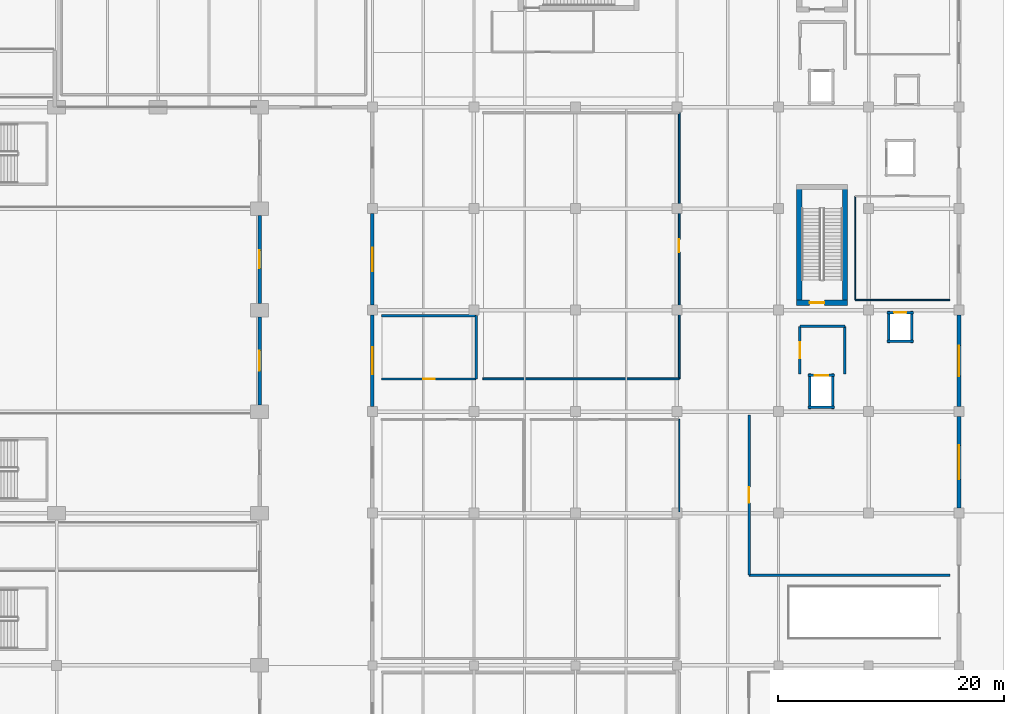
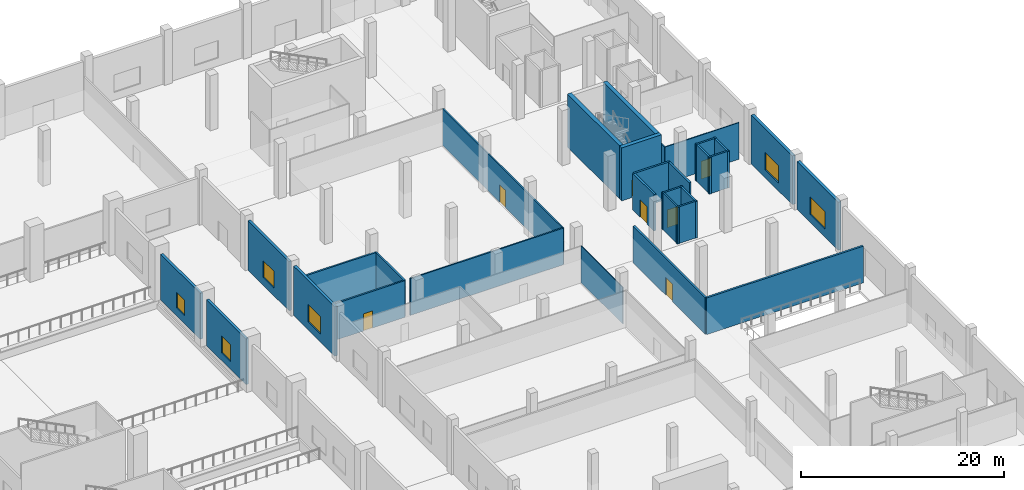
# One storey, part 25 of 65: 30 walls, 7 doors, 6 windows, 13 openings.
"""IFC4 building model written with IfcOpenShell, lengths in metres."""

from ifc_helpers import new_model, si_unit, direction, frame, frame_2d, origin, place, context, subcontext, project, spatial, rectangle, extrude, material, layer, layer_set, type_object, element, fill, save


model = new_model("IFC4")

# Units and contexts
model_context = context("Model", 3, precision=1e-05, world=origin(), true_north=direction((0.0, 1.0)))
body_context = subcontext(model_context, "Body", "Model", "MODEL_VIEW")
ifc_project = project(units=[si_unit("LENGTHUNIT", "METRE"), si_unit("AREAUNIT", "SQUARE_METRE"), si_unit("VOLUMEUNIT", "CUBIC_METRE"), si_unit("PLANEANGLEUNIT", "RADIAN"), si_unit("MASSUNIT", "GRAM", prefix="KILO")], contexts=[model_context])

# Site, building, storey
site_placement = place(None, origin())
site = spatial("IfcSite", under=ifc_project, at=site_placement, CompositionType="ELEMENT")
building_placement = place(site_placement, origin())
building = spatial("IfcBuilding", under=site, at=building_placement, Name="Chuanluo Vaults Station", CompositionType="ELEMENT")
storey_placement = place(building_placement, origin())
storey = spatial("IfcBuildingStorey", under=building, at=storey_placement, Name="L00", CompositionType="ELEMENT", Elevation=0.0)

# Walls
ifc_material_1 = material(Name="Concrete C50", Category="concrete")
ifc_layer_1 = layer(ifc_material_1, 0.449951171875)
ifc_layer_set_1 = layer_set([ifc_layer_1], Name="Concrete C50")
wall_type_1 = type_object("IfcWallType", Name="WL-COR-450", PredefinedType="SHEAR", material=ifc_layer_set_1)
for number, where, z_axis, x_axis, name in (
    (1, (177.91259765625, 85.925048828125, 0.0), (0.0, 0.0, 1.0), (0.0, 1.0, 0.0), "Core K1 left shear wall"),
    (2, (173.842529296875, 96.62255859375, 0.0), (0.0, 0.0, 1.0), (0.0, -1.0, 0.0), "Core K1 right shear wall"),
):
    element("IfcWall", number, at=place(storey_placement, frame(where, z_axis=z_axis, x_axis=x_axis)), inside=storey, type_object=wall_type_1, Name=name, PredefinedType="SHEAR", context=body_context, shape_type="SweptSolid", body=[
        extrude(rectangle(XDim=10.697509765625, YDim=0.449951171875, at=frame_2d((5.3486328125, 0.0))), origin(), (0.0, 0.0, 1.0), 6.360107421875),
    ])

# Wall, opening, door
wall_1_placement = place(storey_placement, frame((173.617431640625, 86.14990234375, 0.0), z_axis=(0.0, 0.0, 1.0), x_axis=(1.0, 0.0, 0.0)))
wall_1 = element("IfcWall", 3, at=wall_1_placement, inside=storey, type_object=wall_type_1, Name="Core K1 near shear wall", PredefinedType="SHEAR", context=body_context, shape_type="SweptSolid", body=[
    extrude(rectangle(XDim=4.52001953125, YDim=0.449951171875, at=frame_2d((2.260009765625, 0.0))), origin(), (0.0, 0.0, 1.0), 6.360107421875),
])
opening_1_placement = place(wall_1_placement, frame((1.14990234375, 0.0, 0.0)))
opening_1 = element("IfcOpeningElement", 4, at=opening_1_placement, cuts=wall_1, Name="Opening FD-05", PredefinedType="OPENING", context=body_context, shape_type="SweptSolid", body=[
    extrude(rectangle(XDim=1.300048828125, YDim=2.10009765625, at=frame_2d((0.64990234375, 1.050048828125))), frame((0.0, 0.2351, 0.0), z_axis=(0.0, -1.0, 0.0), x_axis=(1.0, 0.0, 0.0)), (0.0, 0.0, 1.0), 0.46995),
])
ifc_material_2 = material(Name="Fire-rated steel leaf", Category="steel")
door_type_1 = type_object("IfcDoorType", Name="DR-FIR-1300x2100", OperationType="NOTDEFINED", PredefinedType="DOOR", material=ifc_material_2)
door_1_placement = place(opening_1_placement, origin())
door_1 = element("IfcDoor", 5, at=door_1_placement, inside=storey, type_object=door_type_1, Name="D-059 Stair ST-01 fire door", OperationType="SINGLE_SWING_RIGHT", OverallHeight=2.10009765625, OverallWidth=1.300048828125, PredefinedType="DOOR", context=body_context, shape_type="SweptSolid", body=[
    extrude(rectangle(XDim=1.300048828125, YDim=2.10009765625, at=frame_2d((0.64990234375, 1.050048828125))), frame((0.0, 0.02490234375, 0.0), z_axis=(0.0, -1.0, 0.0), x_axis=(1.0, 0.0, 0.0)), (0.0, 0.0, 1.0), 0.050048828125),
])
fill(opening_1, door_1)

# Wall, opening, window
ifc_material_3 = material(Name="Concrete C40", Category="concrete")
ifc_layer_2 = layer(ifc_material_3, 0.300048828125)
ifc_layer_set_2 = layer_set([ifc_layer_2], Name="Concrete C40")
wall_type_2 = type_object("IfcWallType", Name="WL-EXT-300", PredefinedType="SOLIDWALL", material=ifc_layer_set_2)
wall_2_placement = place(storey_placement, frame((126.0, 84.89990234375, 0.0), z_axis=(0.0, 0.0, 1.0), x_axis=(0.0, -1.0, 0.0)))
wall_2 = element("IfcWall", 6, at=wall_2_placement, inside=storey, type_object=wall_type_2, Name="Passage train-shed wall 3", PredefinedType="SOLIDWALL", context=body_context, shape_type="SweptSolid", body=[
    extrude(rectangle(XDim=7.7998046875, YDim=0.300048828125, at=frame_2d((3.89990234375, 0.0))), origin(), (0.0, 0.0, 1.0), 5.4951171875),
])
opening_2_placement = place(wall_2_placement, frame((3.0, 0.0, 0.949951171875)))
opening_2 = element("IfcOpeningElement", 7, at=opening_2_placement, cuts=wall_2, Name="Opening W-20", PredefinedType="OPENING", context=body_context, shape_type="SweptSolid", body=[
    extrude(rectangle(XDim=1.800048828125, YDim=2.0, at=frame_2d((0.89990234375, 1.0))), frame((0.0, 0.1599, 0.0), z_axis=(0.0, -1.0, 0.0), x_axis=(1.0, 0.0, 0.0)), (0.0, 0.0, 1.0), 0.32005),
])
ifc_material_4 = material(Name="Double-silver Low-E laminated glass", Category="glass")
window_type_1 = type_object("IfcWindowType", Name="WN-RET-1800x2000", PartitioningType="SINGLE_PANEL", PredefinedType="WINDOW", material=ifc_material_4)
window_1_placement = place(opening_2_placement, origin())
window_1 = element("IfcWindow", 8, at=window_1_placement, inside=storey, type_object=window_type_1, Name="W-035 Ground streetwall window", OverallHeight=2.0, OverallWidth=1.800048828125, PartitioningType="SINGLE_PANEL", PredefinedType="WINDOW", context=body_context, shape_type="SweptSolid", body=[
    extrude(rectangle(XDim=1.800048828125, YDim=2.0, at=frame_2d((0.89990234375, 1.0))), frame((0.0, 0.030029296875, 0.0), z_axis=(0.0, -1.0, 0.0), x_axis=(1.0, 0.0, 0.0)), (0.0, 0.0, 1.0), 0.06005859375),
])
fill(opening_2, window_1)

wall_3_placement = place(storey_placement, frame((126.0, 93.89990234375, 0.0), z_axis=(0.0, 0.0, 1.0), x_axis=(0.0, -1.0, 0.0)))
wall_3 = element("IfcWall", 9, at=wall_3_placement, inside=storey, type_object=wall_type_2, Name="Passage train-shed wall 4", PredefinedType="SOLIDWALL", context=body_context, shape_type="SweptSolid", body=[
    extrude(rectangle(XDim=7.7998046875, YDim=0.300048828125, at=frame_2d((3.89990234375, 0.0))), origin(), (0.0, 0.0, 1.0), 5.4951171875),
])
opening_3_placement = place(wall_3_placement, frame((3.10009765625, 0.0, 0.949951171875)))
opening_3 = element("IfcOpeningElement", 10, at=opening_3_placement, cuts=wall_3, Name="Opening W-21", PredefinedType="OPENING", context=body_context, shape_type="SweptSolid", body=[
    extrude(rectangle(XDim=1.60009765625, YDim=1.89990234375, at=frame_2d((0.800048828125, 0.949951171875))), frame((0.0, 0.1599, 0.0), z_axis=(0.0, -1.0, 0.0), x_axis=(1.0, 0.0, 0.0)), (0.0, 0.0, 1.0), 0.32005),
])
ifc_material_5 = material(Name="Double-silver Low-E laminated glass", Category="glass")
window_type_2 = type_object("IfcWindowType", Name="WN-RET-1600x1900", PartitioningType="SINGLE_PANEL", PredefinedType="WINDOW", material=ifc_material_5)
window_2_placement = place(opening_3_placement, origin())
window_2 = element("IfcWindow", 11, at=window_2_placement, inside=storey, type_object=window_type_2, Name="W-036 Ground streetwall window", OverallHeight=1.89990234375, OverallWidth=1.60009765625, PartitioningType="SINGLE_PANEL", PredefinedType="WINDOW", context=body_context, shape_type="SweptSolid", body=[
    extrude(rectangle(XDim=1.60009765625, YDim=1.89990234375, at=frame_2d((0.800048828125, 0.949951171875))), frame((0.0, 0.030029296875, 0.0), z_axis=(0.0, -1.0, 0.0), x_axis=(1.0, 0.0, 0.0)), (0.0, 0.0, 1.0), 0.06005859375),
])
fill(opening_3, window_2)

wall_4_placement = place(storey_placement, frame((136.0, 76.949951171875, 0.0), z_axis=(0.0, 0.0, 1.0), x_axis=(0.0, 1.0, 0.0)))
wall_4 = element("IfcWall", 12, at=wall_4_placement, inside=storey, type_object=wall_type_2, Name="Operations west passage wall 3", PredefinedType="SOLIDWALL", context=body_context, shape_type="SweptSolid", body=[
    extrude(rectangle(XDim=8.10009765625, YDim=0.300048828125, at=frame_2d((4.050048828125, 0.0))), origin(), (0.0, 0.0, 1.0), 5.929931640625),
])
opening_4_placement = place(wall_4_placement, frame((2.85009765625, 0.0, 0.949951171875)))
opening_4 = element("IfcOpeningElement", 13, at=opening_4_placement, cuts=wall_4, Name="Opening W-18", PredefinedType="OPENING", context=body_context, shape_type="SweptSolid", body=[
    extrude(rectangle(XDim=2.39990234375, YDim=2.10009765625, at=frame_2d((1.199951171875, 1.050048828125))), frame((0.0, 0.1599, 0.0), z_axis=(0.0, -1.0, 0.0), x_axis=(1.0, 0.0, 0.0)), (0.0, 0.0, 1.0), 0.32005),
])
ifc_material_6 = material(Name="Double-silver Low-E laminated glass", Category="glass")
window_type_3 = type_object("IfcWindowType", Name="WN-RET-2400x2100", PartitioningType="SINGLE_PANEL", PredefinedType="WINDOW", material=ifc_material_6)
window_3_placement = place(opening_4_placement, origin())
window_3 = element("IfcWindow", 14, at=window_3_placement, inside=storey, type_object=window_type_3, Name="W-045 Ground streetwall window", OverallHeight=2.10009765625, OverallWidth=2.39990234375, PartitioningType="SINGLE_PANEL", PredefinedType="WINDOW", context=body_context, shape_type="SweptSolid", body=[
    extrude(rectangle(XDim=2.39990234375, YDim=2.10009765625, at=frame_2d((1.199951171875, 1.050048828125))), frame((0.0, 0.030029296875, 0.0), z_axis=(0.0, -1.0, 0.0), x_axis=(1.0, 0.0, 0.0)), (0.0, 0.0, 1.0), 0.06005859375),
])
fill(opening_4, window_3)

wall_5_placement = place(storey_placement, frame((136.0, 85.949951171875, 0.0), z_axis=(0.0, 0.0, 1.0), x_axis=(0.0, 1.0, 0.0)))
wall_5 = element("IfcWall", 15, at=wall_5_placement, inside=storey, type_object=wall_type_2, Name="Operations west passage wall 4", PredefinedType="SOLIDWALL", context=body_context, shape_type="SweptSolid", body=[
    extrude(rectangle(XDim=8.10009765625, YDim=0.300048828125, at=frame_2d((4.050048828125, 0.0))), origin(), (0.0, 0.0, 1.0), 5.929931640625),
])
opening_5_placement = place(wall_5_placement, frame((3.0, 0.0, 0.949951171875)))
opening_5 = element("IfcOpeningElement", 16, at=opening_5_placement, cuts=wall_5, Name="Opening W-19", PredefinedType="OPENING", context=body_context, shape_type="SweptSolid", body=[
    extrude(rectangle(XDim=2.10009765625, YDim=2.0, at=frame_2d((1.050048828125, 1.0))), frame((0.0, 0.1599, 0.0), z_axis=(0.0, -1.0, 0.0), x_axis=(1.0, 0.0, 0.0)), (0.0, 0.0, 1.0), 0.32005),
])
ifc_material_7 = material(Name="Double-silver Low-E laminated glass", Category="glass")
window_type_4 = type_object("IfcWindowType", Name="WN-RET-2100x2000", PartitioningType="SINGLE_PANEL", PredefinedType="WINDOW", material=ifc_material_7)
window_4_placement = place(opening_5_placement, origin())
window_4 = element("IfcWindow", 17, at=window_4_placement, inside=storey, type_object=window_type_4, Name="W-046 Ground streetwall window", OverallHeight=2.0, OverallWidth=2.10009765625, PartitioningType="SINGLE_PANEL", PredefinedType="WINDOW", context=body_context, shape_type="SweptSolid", body=[
    extrude(rectangle(XDim=2.10009765625, YDim=2.0, at=frame_2d((1.050048828125, 1.0))), frame((0.0, 0.030029296875, 0.0), z_axis=(0.0, -1.0, 0.0), x_axis=(1.0, 0.0, 0.0)), (0.0, 0.0, 1.0), 0.06005859375),
])
fill(opening_5, window_4)

ifc_material_8 = material(Name="Concrete C50", Category="concrete")
ifc_layer_3 = layer(ifc_material_8, 0.340087890625)
ifc_layer_set_3 = layer_set([ifc_layer_3], Name="Concrete C50")
wall_type_3 = type_object("IfcWallType", Name="WL-EXT-340", PredefinedType="SOLIDWALL", material=ifc_layer_set_3)
wall_6_placement = place(storey_placement, frame((188.0, 76.050048828125, 0.0), z_axis=(0.0, 0.0, 1.0), x_axis=(0.0, -1.0, 0.0)))
wall_6 = element("IfcWall", 18, at=wall_6_placement, inside=storey, type_object=wall_type_3, Name="East streetwall 6", PredefinedType="SOLIDWALL", context=body_context, shape_type="SweptSolid", body=[
    extrude(rectangle(XDim=8.10009765625, YDim=0.340087890625, at=frame_2d((4.050048828125, 0.0))), origin(), (0.0, 0.0, 1.0), 5.7548828125),
])
opening_6_placement = place(wall_6_placement, frame((2.550048828125, 0.0, 0.949951171875)))
opening_6 = element("IfcOpeningElement", 19, at=opening_6_placement, cuts=wall_6, Name="Opening W-16", PredefinedType="OPENING", context=body_context, shape_type="SweptSolid", body=[
    extrude(rectangle(XDim=3.0, YDim=2.10009765625, at=frame_2d((1.5, 1.050048828125))), frame((0.0, 0.17992, 0.0), z_axis=(0.0, -1.0, 0.0), x_axis=(1.0, 0.0, 0.0)), (0.0, 0.0, 1.0), 0.36009),
])
ifc_material_9 = material(Name="Double-silver Low-E laminated glass", Category="glass")
window_type_5 = type_object("IfcWindowType", Name="WN-RET-3000x2100", PartitioningType="SINGLE_PANEL", PredefinedType="WINDOW", material=ifc_material_9)
window_5_placement = place(opening_6_placement, origin())
window_5 = element("IfcWindow", 20, at=window_5_placement, inside=storey, type_object=window_type_5, Name="W-055 Ground streetwall window", OverallHeight=2.10009765625, OverallWidth=3.0, PartitioningType="SINGLE_PANEL", PredefinedType="WINDOW", context=body_context, shape_type="SweptSolid", body=[
    extrude(rectangle(XDim=3.0, YDim=2.10009765625, at=frame_2d((1.5, 1.050048828125))), frame((0.0, 0.030029296875, 0.0), z_axis=(0.0, -1.0, 0.0), x_axis=(1.0, 0.0, 0.0)), (0.0, 0.0, 1.0), 0.06005859375),
])
fill(opening_6, window_5)

wall_7_placement = place(storey_placement, frame((188.0, 85.050048828125, 0.0), z_axis=(0.0, 0.0, 1.0), x_axis=(0.0, -1.0, 0.0)))
wall_7 = element("IfcWall", 21, at=wall_7_placement, inside=storey, type_object=wall_type_3, Name="East streetwall 7", PredefinedType="SOLIDWALL", context=body_context, shape_type="SweptSolid", body=[
    extrude(rectangle(XDim=8.10009765625, YDim=0.340087890625, at=frame_2d((4.050048828125, 0.0))), origin(), (0.0, 0.0, 1.0), 5.875),
])
opening_7_placement = place(wall_7_placement, frame((2.699951171875, 0.0, 0.949951171875)))
opening_7 = element("IfcOpeningElement", 22, at=opening_7_placement, cuts=wall_7, Name="Opening W-17", PredefinedType="OPENING", context=body_context, shape_type="SweptSolid", body=[
    extrude(rectangle(XDim=2.699951171875, YDim=2.10009765625, at=frame_2d((1.35009765625, 1.050048828125))), frame((0.0, 0.17992, 0.0), z_axis=(0.0, -1.0, 0.0), x_axis=(1.0, 0.0, 0.0)), (0.0, 0.0, 1.0), 0.36009),
])
ifc_material_10 = material(Name="Double-silver Low-E laminated glass", Category="glass")
window_type_6 = type_object("IfcWindowType", Name="WN-RET-2700x2100", PartitioningType="SINGLE_PANEL", PredefinedType="WINDOW", material=ifc_material_10)
window_6_placement = place(opening_7_placement, origin())
window_6 = element("IfcWindow", 23, at=window_6_placement, inside=storey, type_object=window_type_6, Name="W-056 Ground streetwall window", OverallHeight=2.10009765625, OverallWidth=2.699951171875, PartitioningType="SINGLE_PANEL", PredefinedType="WINDOW", context=body_context, shape_type="SweptSolid", body=[
    extrude(rectangle(XDim=2.699951171875, YDim=2.10009765625, at=frame_2d((1.35009765625, 1.050048828125))), frame((0.0, 0.030029296875, 0.0), z_axis=(0.0, -1.0, 0.0), x_axis=(1.0, 0.0, 0.0)), (0.0, 0.0, 1.0), 0.06005859375),
])
fill(opening_7, window_6)

# Wall
ifc_material_11 = material(Name="Concrete C40", Category="concrete")
ifc_layer_4 = layer(ifc_material_11, 0.219970703125)
ifc_layer_set_4 = layer_set([ifc_layer_4], Name="Concrete C40")
wall_type_4 = type_object("IfcWallType", Name="WL-FIR-220", PredefinedType="SOLIDWALL", material=ifc_layer_set_4)
wall_8_placement = place(storey_placement, frame((187.199951171875, 62.0, 0.0), z_axis=(0.0, 0.0, 1.0), x_axis=(-1.0, 0.0, 0.0)))
element("IfcWall", 24, at=wall_8_placement, inside=storey, type_object=wall_type_4, Name="L00-28 Trackside Maintenance Workshop S partition", PredefinedType="SOLIDWALL", context=body_context, shape_type="SweptSolid", body=[
    extrude(rectangle(XDim=17.800048828125, YDim=0.219970703125, at=frame_2d((8.89990234375, 0.0))), origin(), (0.0, 0.0, 1.0), 4.39990234375),
])

# Wall, opening, door
wall_9_placement = place(storey_placement, frame((169.39990234375, 62.0, 0.0), z_axis=(0.0, 0.0, 1.0), x_axis=(0.0, 1.0, 0.0)))
wall_9 = element("IfcWall", 25, at=wall_9_placement, inside=storey, type_object=wall_type_4, Name="L00-28 Trackside Maintenance Workshop W partition", PredefinedType="SOLIDWALL", context=body_context, shape_type="SweptSolid", body=[
    extrude(rectangle(XDim=14.199951171875, YDim=0.219970703125, at=frame_2d((7.10009765625, 0.0))), origin(), (0.0, 0.0, 1.0), 4.39990234375),
])
opening_8_placement = place(wall_9_placement, frame((6.39990234375, 0.0, 0.0)))
opening_8 = element("IfcOpeningElement", 26, at=opening_8_placement, cuts=wall_9, Name="Opening FD-04", PredefinedType="OPENING", context=body_context, shape_type="SweptSolid", body=[
    extrude(rectangle(XDim=1.39990234375, YDim=2.10009765625, at=frame_2d((0.699951171875, 1.050048828125))), frame((0.0, 0.11986, 0.0), z_axis=(0.0, -1.0, 0.0), x_axis=(1.0, 0.0, 0.0)), (0.0, 0.0, 1.0), 0.23997),
])
ifc_material_12 = material(Name="Fire-rated steel leaf", Category="steel")
door_type_2 = type_object("IfcDoorType", Name="DR-FIR-1400x2100", OperationType="NOTDEFINED", PredefinedType="DOOR", material=ifc_material_12)
door_2_placement = place(opening_8_placement, origin())
door_2 = element("IfcDoor", 27, at=door_2_placement, inside=storey, type_object=door_type_2, Name="D-174 Trackside Maintenance Workshop door", OperationType="SINGLE_SWING_LEFT", OverallHeight=2.10009765625, OverallWidth=1.39990234375, PredefinedType="DOOR", context=body_context, shape_type="SweptSolid", body=[
    extrude(rectangle(XDim=1.39990234375, YDim=2.10009765625, at=frame_2d((0.699951171875, 1.050048828125))), frame((0.0, 0.02490234375, 0.0), z_axis=(0.0, -1.0, 0.0), x_axis=(1.0, 0.0, 0.0)), (0.0, 0.0, 1.0), 0.050048828125),
])
fill(opening_8, door_2)

# Wall
wall_10_placement = place(storey_placement, frame((173.89990234375, 84.050048828125, 0.0), z_axis=(0.0, 0.0, 1.0), x_axis=(1.0, 0.0, 0.0)))
element("IfcWall", 28, at=wall_10_placement, inside=storey, type_object=wall_type_4, Name="L00-FFL-K1 Firefighting Lift Lobby FFL-01 L00 N partition", PredefinedType="SOLIDWALL", context=body_context, shape_type="SweptSolid", body=[
    extrude(rectangle(XDim=4.0, YDim=0.219970703125, at=frame_2d((2.0, 0.0))), origin(), (0.0, 0.0, 1.0), 4.39990234375),
])

# Wall, opening, door
wall_11_placement = place(storey_placement, frame((173.89990234375, 79.85009765625, 0.0), z_axis=(0.0, 0.0, 1.0), x_axis=(0.0, 1.0, 0.0)))
wall_11 = element("IfcWall", 29, at=wall_11_placement, inside=storey, type_object=wall_type_4, Name="L00-FFL-K1 Firefighting Lift Lobby FFL-01 L00 W partition", PredefinedType="SOLIDWALL", context=body_context, shape_type="SweptSolid", body=[
    extrude(rectangle(XDim=4.199951171875, YDim=0.219970703125, at=frame_2d((2.10009765625, 0.0))), origin(), (0.0, 0.0, 1.0), 4.39990234375),
])
opening_9_placement = place(wall_11_placement, frame((1.39990234375, 0.0, 0.0)))
opening_9 = element("IfcOpeningElement", 30, at=opening_9_placement, cuts=wall_11, Name="Opening FD-04", PredefinedType="OPENING", context=body_context, shape_type="SweptSolid", body=[
    extrude(rectangle(XDim=1.39990234375, YDim=2.10009765625, at=frame_2d((0.699951171875, 1.050048828125))), frame((0.0, 0.11986, 0.0), z_axis=(0.0, -1.0, 0.0), x_axis=(1.0, 0.0, 0.0)), (0.0, 0.0, 1.0), 0.23997),
])
door_3_placement = place(opening_9_placement, origin())
door_3 = element("IfcDoor", 31, at=door_3_placement, inside=storey, type_object=door_type_2, Name="D-268 Firefighting Lift Lobby FFL-01 L00 door", OperationType="SINGLE_SWING_LEFT", OverallHeight=2.10009765625, OverallWidth=1.39990234375, PredefinedType="DOOR", context=body_context, shape_type="SweptSolid", body=[
    extrude(rectangle(XDim=1.39990234375, YDim=2.10009765625, at=frame_2d((0.699951171875, 1.050048828125))), frame((0.0, 0.02490234375, 0.0), z_axis=(0.0, -1.0, 0.0), x_axis=(1.0, 0.0, 0.0)), (0.0, 0.0, 1.0), 0.050048828125),
])
fill(opening_9, door_3)

# Walls
wall_12_placement = place(storey_placement, frame((177.89990234375, 84.050048828125, 0.0), z_axis=(0.0, 0.0, 1.0), x_axis=(0.0, -1.0, 0.0)))
element("IfcWall", 32, at=wall_12_placement, inside=storey, type_object=wall_type_4, Name="L00-FFL-K1 Firefighting Lift Lobby FFL-01 L00 E partition", PredefinedType="SOLIDWALL", context=body_context, shape_type="SweptSolid", body=[
    extrude(rectangle(XDim=4.199951171875, YDim=0.219970703125, at=frame_2d((2.10009765625, 0.0))), origin(), (0.0, 0.0, 1.0), 4.39990234375),
])
ifc_material_13 = material(Name="Masonry blockwork M10", Category="masonry")
ifc_layer_5 = layer(ifc_material_13, 0.10009765625)
ifc_layer_set_5 = layer_set([ifc_layer_5], Name="Masonry blockwork M10")
wall_type_5 = type_object("IfcWallType", Name="WL-PRT-100", PredefinedType="PARTITIONING", material=ifc_layer_set_5)
wall_13_placement = place(storey_placement, frame((163.199951171875, 75.800048828125, 0.0), z_axis=(0.0, 0.0, 1.0), x_axis=(0.0, -1.0, 0.0)))
element("IfcWall", 33, at=wall_13_placement, inside=storey, type_object=wall_type_5, Name="L00-23 Concourse Public Female Toilet E partition", PredefinedType="PARTITIONING", context=body_context, shape_type="SweptSolid", body=[
    extrude(rectangle(XDim=8.199951171875, YDim=0.10009765625, at=frame_2d((4.10009765625, 0.0))), origin(), (0.0, 0.0, 1.0), 4.39990234375),
])
ifc_material_14 = material(Name="Masonry blockwork M10", Category="masonry")
ifc_layer_6 = layer(ifc_material_14, 0.110107421875)
ifc_layer_set_6 = layer_set([ifc_layer_6], Name="Masonry blockwork M10")
wall_type_6 = type_object("IfcWallType", Name="WL-PRT-110", PredefinedType="PARTITIONING", material=ifc_layer_set_6)
wall_14_placement = place(storey_placement, frame((187.199951171875, 86.39990234375, 0.0), z_axis=(0.0, 0.0, 1.0), x_axis=(-1.0, 0.0, 0.0)))
element("IfcWall", 34, at=wall_14_placement, inside=storey, type_object=wall_type_6, Name="L00-31 East Operations Crew Room S partition", PredefinedType="PARTITIONING", context=body_context, shape_type="SweptSolid", body=[
    extrude(rectangle(XDim=8.39990234375, YDim=0.110107421875, at=frame_2d((4.199951171875, 0.0))), origin(), (0.0, 0.0, 1.0), 4.39990234375),
])
wall_15_placement = place(storey_placement, frame((178.800048828125, 86.39990234375, 0.0), z_axis=(0.0, 0.0, 1.0), x_axis=(0.0, 1.0, 0.0)))
element("IfcWall", 35, at=wall_15_placement, inside=storey, type_object=wall_type_6, Name="L00-31 East Operations Crew Room W partition", PredefinedType="PARTITIONING", context=body_context, shape_type="SweptSolid", body=[
    extrude(rectangle(XDim=9.2001953125, YDim=0.110107421875, at=frame_2d((4.60009765625, 0.0))), origin(), (0.0, 0.0, 1.0), 4.39990234375),
])
ifc_material_15 = material(Name="Autoclaved aerated concrete blockwork MU10", Category="masonry")
ifc_layer_7 = layer(ifc_material_15, 0.159912109375)
ifc_layer_set_7 = layer_set([ifc_layer_7], Name="Autoclaved aerated concrete blockwork MU10")
wall_type_7 = type_object("IfcWallType", Name="WL-PRT-160", PredefinedType="PARTITIONING", material=ifc_layer_set_7)
wall_16_placement = place(storey_placement, frame((163.199951171875, 79.39990234375, 0.0), z_axis=(0.0, 0.0, 1.0), x_axis=(-1.0, 0.0, 0.0)))
element("IfcWall", 36, at=wall_16_placement, inside=storey, type_object=wall_type_7, Name="L00-26 Station Duty Manager Suite S partition", PredefinedType="PARTITIONING", context=body_context, shape_type="SweptSolid", body=[
    extrude(rectangle(XDim=17.39990234375, YDim=0.159912109375, at=frame_2d((8.699951171875, 0.0))), origin(), (0.0, 0.0, 1.0), 4.39990234375),
])

# Wall, opening, door
wall_17_placement = place(storey_placement, frame((163.199951171875, 103.0, 0.0), z_axis=(0.0, 0.0, 1.0), x_axis=(0.0, -1.0, 0.0)))
wall_17 = element("IfcWall", 37, at=wall_17_placement, inside=storey, type_object=wall_type_7, Name="L00-26 Station Duty Manager Suite E partition", PredefinedType="PARTITIONING", context=body_context, shape_type="SweptSolid", body=[
    extrude(rectangle(XDim=23.60009765625, YDim=0.159912109375, at=frame_2d((11.800048828125, 0.0))), origin(), (0.0, 0.0, 1.0), 4.39990234375),
])
opening_10_placement = place(wall_17_placement, frame((11.22509765625, 0.0, 0.0)))
opening_10 = element("IfcOpeningElement", 38, at=opening_10_placement, cuts=wall_17, Name="Opening D-I06", PredefinedType="OPENING", context=body_context, shape_type="SweptSolid", body=[
    extrude(rectangle(XDim=1.14990234375, YDim=2.10009765625, at=frame_2d((0.574951171875, 1.050048828125))), frame((0.0, 0.09008, 0.0), z_axis=(0.0, -1.0, 0.0), x_axis=(1.0, 0.0, 0.0)), (0.0, 0.0, 1.0), 0.17991),
])
ifc_material_16 = material(Name="Anodised aluminium 6063-T6", Category="aluminium")
door_type_3 = type_object("IfcDoorType", Name="DR-INT-1150x2100", OperationType="NOTDEFINED", PredefinedType="DOOR", material=ifc_material_16)
door_4_placement = place(opening_10_placement, origin())
door_4 = element("IfcDoor", 39, at=door_4_placement, inside=storey, type_object=door_type_3, Name="D-173 Station Duty Manager Suite door", OperationType="SINGLE_SWING_RIGHT", OverallHeight=2.10009765625, OverallWidth=1.14990234375, PredefinedType="DOOR", context=body_context, shape_type="SweptSolid", body=[
    extrude(rectangle(XDim=1.14990234375, YDim=2.10009765625, at=frame_2d((0.574951171875, 1.050048828125))), frame((0.0, 0.02490234375, 0.0), z_axis=(0.0, -1.0, 0.0), x_axis=(1.0, 0.0, 0.0)), (0.0, 0.0, 1.0), 0.050048828125),
])
fill(opening_10, door_4)

ifc_material_17 = material(Name="Autoclaved aerated concrete blockwork MU10", Category="masonry")
ifc_layer_8 = layer(ifc_material_17, 0.18994140625)
ifc_layer_set_8 = layer_set([ifc_layer_8], Name="Autoclaved aerated concrete blockwork MU10")
wall_type_8 = type_object("IfcWallType", Name="WL-PRT-190", PredefinedType="PARTITIONING", material=ifc_layer_set_8)
wall_18_placement = place(storey_placement, frame((145.199951171875, 79.39990234375, 0.0), z_axis=(0.0, 0.0, 1.0), x_axis=(-1.0, 0.0, 0.0)))
wall_18 = element("IfcWall", 40, at=wall_18_placement, inside=storey, type_object=wall_type_8, Name="L00-24 Concourse Accessible and Family WC S partition", PredefinedType="PARTITIONING", context=body_context, shape_type="SweptSolid", body=[
    extrude(rectangle(XDim=8.39990234375, YDim=0.18994140625, at=frame_2d((4.199951171875, 0.0))), origin(), (0.0, 0.0, 1.0), 4.39990234375),
])
opening_11_placement = place(wall_18_placement, frame((3.68994140625, 0.0, 0.0)))
opening_11 = element("IfcOpeningElement", 41, at=opening_11_placement, cuts=wall_18, Name="Opening D-WC2", PredefinedType="OPENING", context=body_context, shape_type="SweptSolid", body=[
    extrude(rectangle(XDim=1.02001953125, YDim=2.050048828125, at=frame_2d((0.510009765625, 1.02490234375))), frame((0.0, 0.10497, 0.0), z_axis=(0.0, -1.0, 0.0), x_axis=(1.0, 0.0, 0.0)), (0.0, 0.0, 1.0), 0.20994),
])
ifc_material_18 = material(Name="Anodised aluminium 6063-T6", Category="aluminium")
door_type_4 = type_object("IfcDoorType", Name="DR-AWC-1020x2050", OperationType="NOTDEFINED", PredefinedType="DOOR", material=ifc_material_18)
door_5_placement = place(opening_11_placement, origin())
door_5 = element("IfcDoor", 42, at=door_5_placement, inside=storey, type_object=door_type_4, Name="D-172 Concourse Accessible and Family WC door", OperationType="SINGLE_SWING_LEFT", OverallHeight=2.050048828125, OverallWidth=1.02001953125, PredefinedType="DOOR", context=body_context, shape_type="SweptSolid", body=[
    extrude(rectangle(XDim=1.02001953125, YDim=2.050048828125, at=frame_2d((0.510009765625, 1.02490234375))), frame((0.0, 0.02490234375, 0.0), z_axis=(0.0, -1.0, 0.0), x_axis=(1.0, 0.0, 0.0)), (0.0, 0.0, 1.0), 0.050048828125),
])
fill(opening_11, door_5)

# Walls
wall_19_placement = place(storey_placement, frame((136.800048828125, 85.0, 0.0), z_axis=(0.0, 0.0, 1.0), x_axis=(1.0, 0.0, 0.0)))
element("IfcWall", 43, at=wall_19_placement, inside=storey, type_object=wall_type_8, Name="L00-24 Concourse Accessible and Family WC N partition", PredefinedType="PARTITIONING", context=body_context, shape_type="SweptSolid", body=[
    extrude(rectangle(XDim=8.39990234375, YDim=0.18994140625, at=frame_2d((4.199951171875, 0.0))), origin(), (0.0, 0.0, 1.0), 4.39990234375),
])
wall_20_placement = place(storey_placement, frame((145.199951171875, 85.0, 0.0), z_axis=(0.0, 0.0, 1.0), x_axis=(0.0, -1.0, 0.0)))
element("IfcWall", 44, at=wall_20_placement, inside=storey, type_object=wall_type_8, Name="L00-24 Concourse Accessible and Family WC E partition", PredefinedType="PARTITIONING", context=body_context, shape_type="SweptSolid", body=[
    extrude(rectangle(XDim=5.60009765625, YDim=0.18994140625, at=frame_2d((2.800048828125, 0.0))), origin(), (0.0, 0.0, 1.0), 4.39990234375),
])
ifc_material_19 = material(Name="Concrete C40", Category="concrete")
ifc_layer_9 = layer(ifc_material_19, 0.199951171875)
ifc_layer_set_9 = layer_set([ifc_layer_9], Name="Concrete C40")
wall_type_9 = type_object("IfcWallType", Name="WL-SHF-200", PredefinedType="SOLIDWALL", material=ifc_layer_set_9)
wall_21_placement = place(storey_placement, frame((174.6298828125, 76.8798828125, 0.0), z_axis=(0.0, 0.0, 1.0), x_axis=(1.0, 0.0, 0.0)))
element("IfcWall", 45, at=wall_21_placement, inside=storey, type_object=wall_type_9, Name="Lift FFL-01 shaft wall L00 -Y", PredefinedType="SOLIDWALL", context=body_context, shape_type="SweptSolid", body=[
    extrude(rectangle(XDim=2.340087890625, YDim=0.199951171875, at=frame_2d((1.169921875, 0.0))), origin(), (0.0, 0.0, 1.0), 4.39990234375),
])

# Wall, opening, door
wall_22_placement = place(storey_placement, frame((176.969970703125, 79.719970703125, 0.0), z_axis=(0.0, 0.0, 1.0), x_axis=(-1.0, 0.0, 0.0)))
wall_22 = element("IfcWall", 46, at=wall_22_placement, inside=storey, type_object=wall_type_9, Name="Lift FFL-01 shaft wall L00 +Y", PredefinedType="SOLIDWALL", context=body_context, shape_type="SweptSolid", body=[
    extrude(rectangle(XDim=2.340087890625, YDim=0.199951171875, at=frame_2d((1.169921875, 0.0))), origin(), (0.0, 0.0, 1.0), 4.39990234375),
])
opening_12_placement = place(wall_22_placement, frame((0.570068359375, 0.0, 0.0)))
opening_12 = element("IfcOpeningElement", 47, at=opening_12_placement, cuts=wall_22, Name="Opening LD-02", PredefinedType="OPENING", context=body_context, shape_type="SweptSolid", body=[
    extrude(rectangle(XDim=1.199951171875, YDim=2.14990234375, at=frame_2d((0.60009765625, 1.074951171875))), frame((0.0, 0.1101, 0.0), z_axis=(0.0, -1.0, 0.0), x_axis=(1.0, 0.0, 0.0)), (0.0, 0.0, 1.0), 0.21995),
])
ifc_material_20 = material(Name="Brushed stainless steel 304", Category="steel")
door_type_5 = type_object("IfcDoorType", Name="DR-LFT-1200x2150", OperationType="SLIDING_TO_LEFT", PredefinedType="DOOR", material=ifc_material_20)
door_6_placement = place(opening_12_placement, origin())
door_6 = element("IfcDoor", 48, at=door_6_placement, inside=storey, type_object=door_type_5, Name="LD-FFL-01-02 Lift FFL-01 sliding landing door L00", OperationType="SLIDING_TO_LEFT", OverallHeight=2.14990234375, OverallWidth=1.199951171875, PredefinedType="DOOR", context=body_context, shape_type="SweptSolid", body=[
    extrude(rectangle(XDim=1.199951171875, YDim=2.14990234375, at=frame_2d((0.60009765625, 1.074951171875))), frame((0.0, 0.02490234375, 0.0), z_axis=(0.0, -1.0, 0.0), x_axis=(1.0, 0.0, 0.0)), (0.0, 0.0, 1.0), 0.050048828125),
])
fill(opening_12, door_6)

# Walls
for number, where, z_axis, x_axis, name in (
    (49, (174.780029296875, 79.8701171875, 0.0), (0.0, 0.0, 1.0), (0.0, -1.0, 0.0), "Lift FFL-01 shaft wall L00 -X"),
    (50, (176.820068359375, 76.72998046875, 0.0), (0.0, 0.0, 1.0), (0.0, 1.0, 0.0), "Lift FFL-01 shaft wall L00 +X"),
):
    element("IfcWall", number, at=place(storey_placement, frame(where, z_axis=z_axis, x_axis=x_axis)), inside=storey, type_object=wall_type_9, Name=name, PredefinedType="SOLIDWALL", context=body_context, shape_type="SweptSolid", body=[
        extrude(rectangle(XDim=3.14013671875, YDim=0.199951171875, at=frame_2d((1.570068359375, 0.0))), origin(), (0.0, 0.0, 1.0), 4.39990234375),
    ])
wall_23_placement = place(storey_placement, frame((181.6298828125, 82.72998046875, 0.0), z_axis=(0.0, 0.0, 1.0), x_axis=(1.0, 0.0, 0.0)))
element("IfcWall", 51, at=wall_23_placement, inside=storey, type_object=wall_type_9, Name="Lift EL-03 shaft wall L00 -Y", PredefinedType="SOLIDWALL", context=body_context, shape_type="SweptSolid", body=[
    extrude(rectangle(XDim=2.340087890625, YDim=0.199951171875, at=frame_2d((1.169921875, 0.0))), origin(), (0.0, 0.0, 1.0), 4.39990234375),
])

# Wall, opening, door
wall_24_placement = place(storey_placement, frame((183.969970703125, 85.27001953125, 0.0), z_axis=(0.0, 0.0, 1.0), x_axis=(-1.0, 0.0, 0.0)))
wall_24 = element("IfcWall", 52, at=wall_24_placement, inside=storey, type_object=wall_type_9, Name="Lift EL-03 shaft wall L00 +Y", PredefinedType="SOLIDWALL", context=body_context, shape_type="SweptSolid", body=[
    extrude(rectangle(XDim=2.340087890625, YDim=0.199951171875, at=frame_2d((1.169921875, 0.0))), origin(), (0.0, 0.0, 1.0), 4.39990234375),
])
opening_13_placement = place(wall_24_placement, frame((0.6201171875, 0.0, 0.0)))
opening_13 = element("IfcOpeningElement", 53, at=opening_13_placement, cuts=wall_24, Name="Opening LD-01", PredefinedType="OPENING", context=body_context, shape_type="SweptSolid", body=[
    extrude(rectangle(XDim=1.10009765625, YDim=2.14990234375, at=frame_2d((0.550048828125, 1.074951171875))), frame((0.0, 0.1101, 0.0), z_axis=(0.0, -1.0, 0.0), x_axis=(1.0, 0.0, 0.0)), (0.0, 0.0, 1.0), 0.21995),
])
ifc_material_21 = material(Name="Brushed stainless steel 304", Category="steel")
door_type_6 = type_object("IfcDoorType", Name="DR-LFT-1100x2150", OperationType="SLIDING_TO_LEFT", PredefinedType="DOOR", material=ifc_material_21)
door_7_placement = place(opening_13_placement, origin())
door_7 = element("IfcDoor", 54, at=door_7_placement, inside=storey, type_object=door_type_6, Name="LD-EL-03-02 Lift EL-03 sliding landing door L00", OperationType="SLIDING_TO_LEFT", OverallHeight=2.14990234375, OverallWidth=1.10009765625, PredefinedType="DOOR", context=body_context, shape_type="SweptSolid", body=[
    extrude(rectangle(XDim=1.10009765625, YDim=2.14990234375, at=frame_2d((0.550048828125, 1.074951171875))), frame((0.0, 0.02490234375, 0.0), z_axis=(0.0, -1.0, 0.0), x_axis=(1.0, 0.0, 0.0)), (0.0, 0.0, 1.0), 0.050048828125),
])
fill(opening_13, door_7)

# Walls
for number, where, z_axis, x_axis, name in (
    (55, (181.780029296875, 85.419921875, 0.0), (0.0, 0.0, 1.0), (0.0, -1.0, 0.0), "Lift EL-03 shaft wall L00 -X"),
    (56, (183.820068359375, 82.580078125, 0.0), (0.0, 0.0, 1.0), (0.0, 1.0, 0.0), "Lift EL-03 shaft wall L00 +X"),
):
    element("IfcWall", number, at=place(storey_placement, frame(where, z_axis=z_axis, x_axis=x_axis)), inside=storey, type_object=wall_type_9, Name=name, PredefinedType="SOLIDWALL", context=body_context, shape_type="SweptSolid", body=[
        extrude(rectangle(XDim=2.83984375, YDim=0.199951171875, at=frame_2d((1.419921875, 0.0))), origin(), (0.0, 0.0, 1.0), 4.39990234375),
    ])

save(model, "model.ifc")
